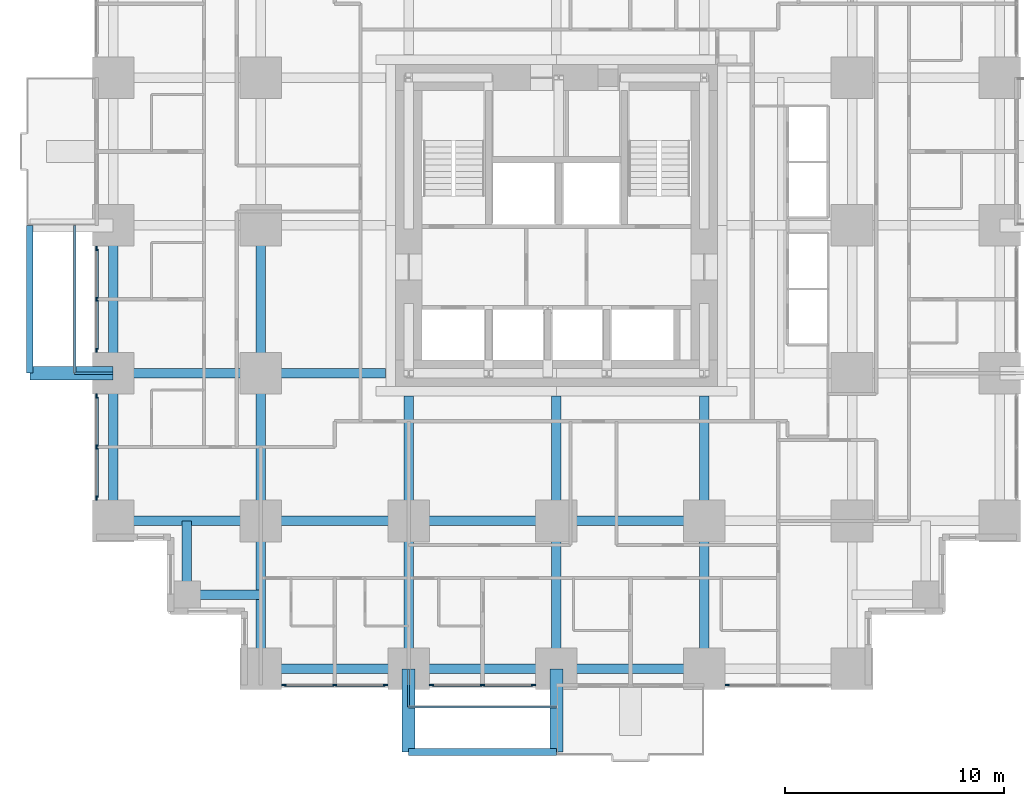
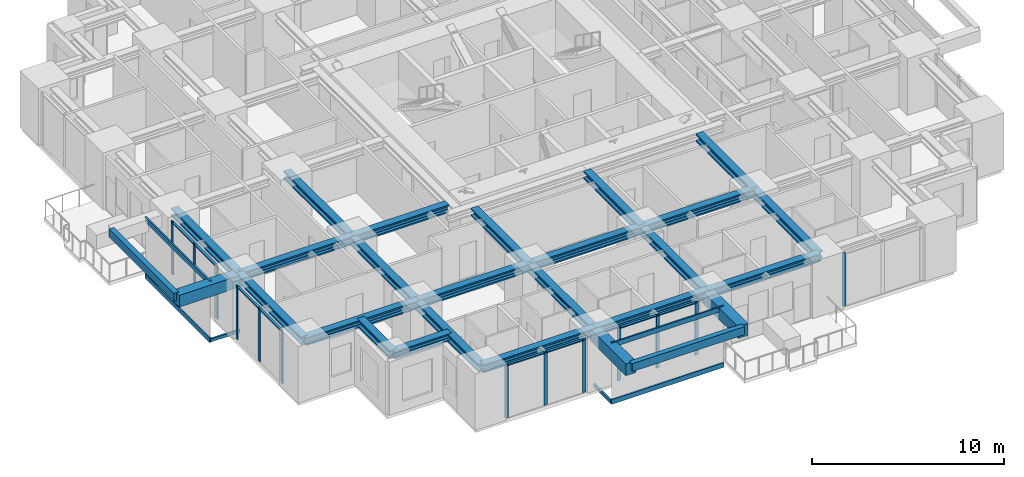
# One storey, part 2 of 14: 27 beams, 27 members, 5 elements without a shape of their own.
"""IFC4 building model written with IfcOpenShell, lengths in metres."""

from ifc_helpers import new_model, si_unit, direction, frame, origin, origin_2d, place, context, subcontext, project, spatial, rectangle, hollow_rectangle, i_section, extrude, material, material_profile, profile_set, type_object, element, aggregate, save


model = new_model("IFC4")

# Units and contexts
model_context = context("Model", 3, precision=1e-05, world=origin(), true_north=direction((0.0, 1.0)))
body_context = subcontext(model_context, "Body", "Model", "MODEL_VIEW")
ifc_project = project(units=[si_unit("LENGTHUNIT", "METRE"), si_unit("AREAUNIT", "SQUARE_METRE"), si_unit("VOLUMEUNIT", "CUBIC_METRE"), si_unit("PLANEANGLEUNIT", "RADIAN"), si_unit("MASSUNIT", "GRAM", prefix="KILO")], contexts=[model_context])

# Site, building, storey
site_placement = place(None, origin())
site = spatial("IfcSite", under=ifc_project, at=site_placement, CompositionType="ELEMENT")
building_placement = place(site_placement, origin())
building = spatial("IfcBuilding", under=site, at=building_placement, Name="Nyansa Garden Tower", CompositionType="ELEMENT")
storey_placement = place(building_placement, frame((0.0, 0.0, 28.800048828125)))
storey = spatial("IfcBuildingStorey", under=building, at=storey_placement, Name="L07", CompositionType="ELEMENT", Elevation=28.800048828125)

# Beams
ifc_material_1 = material(Name="Concrete C70/85", Category="concrete")
ifc_material_profile_1 = material_profile(ifc_material_1, rectangle(XDim=0.60009765625, YDim=0.75, at=origin_2d()), Name="RC 600x750")
ifc_profile_set_1 = profile_set([ifc_material_profile_1], Name="Concrete C70/85")
beam_type_1 = type_object("IfcBeamType", Name="Balcony cantilever beam CB1 RC 600x750", PredefinedType="BEAM", material=ifc_profile_set_1)
for number, where, z_axis, x_axis, name in (
    (1, (13.5, 0.0, 2.98486328125), (0.0, -1.0, 0.0), (1.0, 0.0, 0.0), "Balcony cantilever beam L08"),
    (2, (20.25, 0.0, 2.98486328125), (0.0, -1.0, 0.0), (1.0, 0.0, 0.0), "Balcony cantilever beam L08"),
    (3, (0.0, 13.5, 2.98486328125), (-1.0, 0.0, 0.0), (0.0, -1.0, 0.0), "Balcony cantilever beam L08"),
):
    element("IfcBeam", number, at=place(storey_placement, frame(where, z_axis=z_axis, x_axis=x_axis)), inside=storey, type_object=beam_type_1, Name=name, PredefinedType="BEAM", context=body_context, shape_type="SweptSolid", body=[
        extrude(rectangle(XDim=0.60009765625, YDim=0.75, at=origin_2d()), origin(), (0.0, 0.0, 1.0), 3.800048828125),
    ])
ifc_material_2 = material(Name="Concrete C70/85", Category="concrete")
ifc_material_profile_2 = material_profile(ifc_material_2, rectangle(XDim=0.300048828125, YDim=0.5, at=origin_2d()), Name="RC 300x500")
ifc_profile_set_2 = profile_set([ifc_material_profile_2], Name="Concrete C70/85")
beam_type_2 = type_object("IfcBeamType", Name="Balcony edge beam BE1 RC 300x500", PredefinedType="BEAM", material=ifc_profile_set_2)
for number, where, z_axis, x_axis, name in (
    (4, (13.5, -3.800048828125, 3.10986328125), (1.0, 0.0, 0.0), (0.0, 1.0, 0.0), "Balcony edge beam L08"),
    (5, (-3.800048828125, 13.5, 3.10986328125), (0.0, 1.0, 0.0), (-1.0, 0.0, 0.0), "Balcony edge beam L08"),
):
    element("IfcBeam", number, at=place(storey_placement, frame(where, z_axis=z_axis, x_axis=x_axis)), inside=storey, type_object=beam_type_2, Name=name, PredefinedType="BEAM", context=body_context, shape_type="SweptSolid", body=[
        extrude(rectangle(XDim=0.300048828125, YDim=0.5, at=origin_2d()), origin(), (0.0, 0.0, 1.0), 6.75),
    ])

# Curtain wall, members
ifc_material_3 = material(Name="Black anodised aluminium, dark tinted double glazing", Category="aluminium")
curtain_wall_type = type_object("IfcCurtainWallType", Name="Inner skin curtain wall ISW-A", PredefinedType="USERDEFINED", material=ifc_material_3)
curtain_wall_1_placement = place(storey_placement, origin())
curtain_wall_1 = element("IfcCurtainWall", 6, at=curtain_wall_1_placement, inside=storey, type_object=curtain_wall_type, Name="Inner skin curtain wall L07 W", ObjectType="UNITISED CURTAIN WALL", PredefinedType="USERDEFINED")
ifc_material_4 = material(Name="Black anodised aluminium", Category="aluminium")
ifc_material_profile_3 = material_profile(ifc_material_4, rectangle(XDim=0.06494140625, YDim=0.199951171875, at=origin_2d()), Name="Mullion 200x65")
ifc_profile_set_3 = profile_set([ifc_material_profile_3], Name="Black anodised aluminium")
member_type_1 = type_object("IfcMemberType", Name="Mullion ISW-A 200x65", PredefinedType="MULLION", material=ifc_profile_set_3)
member_1_placement = place(storey_placement, frame((-0.75, 19.199951171875, 0.0), z_axis=(0.0, 0.0, 1.0), x_axis=(1.0, 0.0, 0.0)))
member_1 = element("IfcMember", 7, at=member_1_placement, type_object=member_type_1, Name="ISW-A mullion 1", PredefinedType="MULLION", context=body_context, shape_type="SweptSolid", body=[
    extrude(rectangle(XDim=0.06494140625, YDim=0.199951171875, at=origin_2d()), origin(), (0.0, 0.0, 1.0), 3.375),
])
member_2_placement = place(storey_placement, frame((-0.75, 16.875, 0.0), z_axis=(0.0, 0.0, 1.0), x_axis=(1.0, 0.0, 0.0)))
member_2 = element("IfcMember", 8, at=member_2_placement, type_object=member_type_1, Name="ISW-A mullion 2", PredefinedType="MULLION", context=body_context, shape_type="SweptSolid", body=[
    extrude(rectangle(XDim=0.06494140625, YDim=0.199951171875, at=origin_2d()), origin(), (0.0, 0.0, 1.0), 3.375),
])
member_3_placement = place(storey_placement, frame((-0.75, 14.550048828125, 0.0), z_axis=(0.0, 0.0, 1.0), x_axis=(1.0, 0.0, 0.0)))
member_3 = element("IfcMember", 9, at=member_3_placement, type_object=member_type_1, Name="ISW-A mullion 3", PredefinedType="MULLION", context=body_context, shape_type="SweptSolid", body=[
    extrude(rectangle(XDim=0.06494140625, YDim=0.199951171875, at=origin_2d()), origin(), (0.0, 0.0, 1.0), 3.375),
])

curtain_wall_2_placement = place(storey_placement, origin())
curtain_wall_2 = element("IfcCurtainWall", 10, at=curtain_wall_2_placement, inside=storey, type_object=curtain_wall_type, Name="Inner skin curtain wall L07 W", ObjectType="UNITISED CURTAIN WALL", PredefinedType="USERDEFINED")
member_4_placement = place(storey_placement, frame((-0.75, 12.449951171875, 0.0), z_axis=(0.0, 0.0, 1.0), x_axis=(1.0, 0.0, 0.0)))
member_4 = element("IfcMember", 11, at=member_4_placement, type_object=member_type_1, Name="ISW-A mullion 1", PredefinedType="MULLION", context=body_context, shape_type="SweptSolid", body=[
    extrude(rectangle(XDim=0.06494140625, YDim=0.199951171875, at=origin_2d()), origin(), (0.0, 0.0, 1.0), 3.375),
])
member_5_placement = place(storey_placement, frame((-0.75, 10.125, 0.0), z_axis=(0.0, 0.0, 1.0), x_axis=(1.0, 0.0, 0.0)))
member_5 = element("IfcMember", 12, at=member_5_placement, type_object=member_type_1, Name="ISW-A mullion 2", PredefinedType="MULLION", context=body_context, shape_type="SweptSolid", body=[
    extrude(rectangle(XDim=0.06494140625, YDim=0.199951171875, at=origin_2d()), origin(), (0.0, 0.0, 1.0), 3.375),
])
member_6_placement = place(storey_placement, frame((-0.75, 7.800048828125, 0.0), z_axis=(0.0, 0.0, 1.0), x_axis=(1.0, 0.0, 0.0)))
member_6 = element("IfcMember", 13, at=member_6_placement, type_object=member_type_1, Name="ISW-A mullion 3", PredefinedType="MULLION", context=body_context, shape_type="SweptSolid", body=[
    extrude(rectangle(XDim=0.06494140625, YDim=0.199951171875, at=origin_2d()), origin(), (0.0, 0.0, 1.0), 3.375),
])

curtain_wall_3_placement = place(storey_placement, origin())
curtain_wall_3 = element("IfcCurtainWall", 14, at=curtain_wall_3_placement, inside=storey, type_object=curtain_wall_type, Name="Inner skin curtain wall L07 S", ObjectType="UNITISED CURTAIN WALL", PredefinedType="USERDEFINED")
member_7_placement = place(storey_placement, frame((7.800048828125, -0.75, 0.0), z_axis=(0.0, 0.0, 1.0), x_axis=(0.0, 1.0, 0.0)))
member_7 = element("IfcMember", 15, at=member_7_placement, type_object=member_type_1, Name="ISW-A mullion 1", PredefinedType="MULLION", context=body_context, shape_type="SweptSolid", body=[
    extrude(rectangle(XDim=0.06494140625, YDim=0.199951171875, at=origin_2d()), origin(), (0.0, 0.0, 1.0), 3.375),
])
member_8_placement = place(storey_placement, frame((10.125, -0.75, 0.0), z_axis=(0.0, 0.0, 1.0), x_axis=(0.0, 1.0, 0.0)))
member_8 = element("IfcMember", 16, at=member_8_placement, type_object=member_type_1, Name="ISW-A mullion 2", PredefinedType="MULLION", context=body_context, shape_type="SweptSolid", body=[
    extrude(rectangle(XDim=0.06494140625, YDim=0.199951171875, at=origin_2d()), origin(), (0.0, 0.0, 1.0), 3.375),
])
member_9_placement = place(storey_placement, frame((12.449951171875, -0.75, 0.0), z_axis=(0.0, 0.0, 1.0), x_axis=(0.0, 1.0, 0.0)))
member_9 = element("IfcMember", 17, at=member_9_placement, type_object=member_type_1, Name="ISW-A mullion 3", PredefinedType="MULLION", context=body_context, shape_type="SweptSolid", body=[
    extrude(rectangle(XDim=0.06494140625, YDim=0.199951171875, at=origin_2d()), origin(), (0.0, 0.0, 1.0), 3.375),
])

curtain_wall_4_placement = place(storey_placement, origin())
curtain_wall_4 = element("IfcCurtainWall", 18, at=curtain_wall_4_placement, inside=storey, type_object=curtain_wall_type, Name="Inner skin curtain wall L07 S", ObjectType="UNITISED CURTAIN WALL", PredefinedType="USERDEFINED")
member_10_placement = place(storey_placement, frame((14.550048828125, -0.75, 0.0), z_axis=(0.0, 0.0, 1.0), x_axis=(0.0, 1.0, 0.0)))
member_10 = element("IfcMember", 19, at=member_10_placement, type_object=member_type_1, Name="ISW-A mullion 1", PredefinedType="MULLION", context=body_context, shape_type="SweptSolid", body=[
    extrude(rectangle(XDim=0.06494140625, YDim=0.199951171875, at=origin_2d()), origin(), (0.0, 0.0, 1.0), 3.375),
])
member_11_placement = place(storey_placement, frame((16.875, -0.75, 0.0), z_axis=(0.0, 0.0, 1.0), x_axis=(0.0, 1.0, 0.0)))
member_11 = element("IfcMember", 20, at=member_11_placement, type_object=member_type_1, Name="ISW-A mullion 2", PredefinedType="MULLION", context=body_context, shape_type="SweptSolid", body=[
    extrude(rectangle(XDim=0.06494140625, YDim=0.199951171875, at=origin_2d()), origin(), (0.0, 0.0, 1.0), 3.375),
])
member_12_placement = place(storey_placement, frame((19.199951171875, -0.75, 0.0), z_axis=(0.0, 0.0, 1.0), x_axis=(0.0, 1.0, 0.0)))
member_12 = element("IfcMember", 21, at=member_12_placement, type_object=member_type_1, Name="ISW-A mullion 3", PredefinedType="MULLION", context=body_context, shape_type="SweptSolid", body=[
    extrude(rectangle(XDim=0.06494140625, YDim=0.199951171875, at=origin_2d()), origin(), (0.0, 0.0, 1.0), 3.375),
])

# Curtain wall, member
curtain_wall_5_placement = place(storey_placement, origin())
curtain_wall_5 = element("IfcCurtainWall", 22, at=curtain_wall_5_placement, inside=storey, type_object=curtain_wall_type, Name="Inner skin curtain wall L07 S", ObjectType="UNITISED CURTAIN WALL", PredefinedType="USERDEFINED")
member_13_placement = place(storey_placement, frame((28.050048828125, -0.75, 0.0), z_axis=(0.0, 0.0, 1.0), x_axis=(0.0, 1.0, 0.0)))
member_13 = element("IfcMember", 23, at=member_13_placement, type_object=member_type_1, Name="ISW-A mullion 1", PredefinedType="MULLION", context=body_context, shape_type="SweptSolid", body=[
    extrude(rectangle(XDim=0.06494140625, YDim=0.199951171875, at=origin_2d()), origin(), (0.0, 0.0, 1.0), 3.375),
])
aggregate(curtain_wall_5, [member_13])

# Members
ifc_material_5 = material(Name="Steel S355, black powder coated", Category="steel")
ifc_material_profile_4 = material_profile(ifc_material_5, hollow_rectangle(XDim=0.10009765625, YDim=0.199951171875, WallThickness=0.008056640625, at=origin_2d()), Name="RHS 200x100x8")
ifc_profile_set_4 = profile_set([ifc_material_profile_4], Name="Steel S355, black powder coated")
member_type_2 = type_object("IfcMemberType", Name="Outer skin bracket arm RHS 200x100x8", PredefinedType="USERDEFINED", material=ifc_profile_set_4)
for number, where, z_axis, x_axis, name in (
    (24, (0.0, 13.5, -0.375), (-1.0, 0.0, 0.0), (0.0, -1.0, 0.0), "Outer skin bracket arm"),
    (25, (13.5, 0.0, -0.375), (0.0, -1.0, 0.0), (1.0, 0.0, 0.0), "Outer skin bracket arm"),
):
    element("IfcMember", number, at=place(storey_placement, frame(where, z_axis=z_axis, x_axis=x_axis)), inside=storey, type_object=member_type_2, Name=name, ObjectType="OUTER SKIN BRACKET", PredefinedType="USERDEFINED", context=body_context, shape_type="SweptSolid", body=[
        extrude(hollow_rectangle(XDim=0.10009765625, YDim=0.199951171875, WallThickness=0.008056640625, at=origin_2d()), origin(), (0.0, 0.0, 1.0), 1.75),
    ])
ifc_material_6 = material(Name="Steel S355, black powder coated", Category="steel")
ifc_material_profile_5 = material_profile(ifc_material_6, hollow_rectangle(XDim=0.10009765625, YDim=0.300048828125, WallThickness=0.010009765625, at=origin_2d()), Name="RHS 300x100x10")
ifc_profile_set_5 = profile_set([ifc_material_profile_5], Name="Steel S355, black powder coated")
member_type_3 = type_object("IfcMemberType", Name="Outer skin rail RHS 300x100x10", PredefinedType="USERDEFINED", material=ifc_profile_set_5)
for number, where, z_axis, x_axis, name in (
    (26, (-1.75, 13.5, -0.375), (0.0, 1.0, 0.0), (-1.0, 0.0, 0.0), "Outer skin rail L07"),
    (27, (-1.75, 13.5, 3.224853515625), (0.0, 1.0, 0.0), (-1.0, 0.0, 0.0), "Outer skin rail L07 head"),
    (28, (13.5, -1.75, -0.375), (1.0, 0.0, 0.0), (0.0, 1.0, 0.0), "Outer skin rail L07"),
    (29, (13.5, -1.75, 3.224853515625), (1.0, 0.0, 0.0), (0.0, 1.0, 0.0), "Outer skin rail L07 head"),
):
    element("IfcMember", number, at=place(storey_placement, frame(where, z_axis=z_axis, x_axis=x_axis)), inside=storey, type_object=member_type_3, Name=name, ObjectType="OUTER SKIN RAIL", PredefinedType="USERDEFINED", context=body_context, shape_type="SweptSolid", body=[
        extrude(hollow_rectangle(XDim=0.10009765625, YDim=0.300048828125, WallThickness=0.010009765625, at=origin_2d()), origin(), (0.0, 0.0, 1.0), 6.75),
    ])

# Beams
ifc_material_7 = material(Name="Steel S355", Category="steel")
ifc_material_profile_6 = material_profile(ifc_material_7, i_section(OverallWidth=0.431884765625, OverallDepth=0.498046875, WebThickness=0.0556640625, FlangeThickness=0.0888671875, FilletRadius=0.014892578125, at=origin_2d()), Name="HD 400x744")
ifc_profile_set_6 = profile_set([ifc_material_profile_6], Name="Steel S355")
beam_type_3 = type_object("IfcBeamType", Name="Steel beam SBA1-744 HD 400x744", PredefinedType="BEAM", material=ifc_profile_set_6)
for number, where, z_axis, x_axis, name in (
    (30, (0.0, 6.75, 3.1259765625), (1.0, 0.0, 0.0), (0.0, 1.0, 0.0), "Steel beam 2/E-3/E L08"),
    (31, (0.0, 13.5, 3.1259765625), (1.0, 0.0, 0.0), (0.0, 1.0, 0.0), "Steel beam 2/F-3/F L08"),
    (32, (6.75, 0.0, 3.1259765625), (0.0, 1.0, 0.0), (-1.0, 0.0, 0.0), "Steel beam 3/D-3/E L08"),
    (33, (6.75, 6.75, 3.1259765625), (0.0, 1.0, 0.0), (-1.0, 0.0, 0.0), "Steel beam 3/E-3/F L08"),
    (34, (6.75, 6.75, 3.1259765625), (1.0, 0.0, 0.0), (0.0, 1.0, 0.0), "Steel beam 3/E-4/E L08"),
    (35, (6.75, 13.5, 3.1259765625), (0.0, 1.0, 0.0), (-1.0, 0.0, 0.0), "Steel beam 3/F-3/G L08"),
):
    element("IfcBeam", number, at=place(storey_placement, frame(where, z_axis=z_axis, x_axis=x_axis)), inside=storey, type_object=beam_type_3, Name=name, PredefinedType="BEAM", context=body_context, shape_type="SweptSolid", body=[
        extrude(i_section(OverallWidth=0.431884765625, OverallDepth=0.498046875, WebThickness=0.0556640625, FlangeThickness=0.0888671875, FilletRadius=0.014892578125, at=origin_2d()), origin(), (0.0, 0.0, 1.0), 6.75),
    ])
beam_1_placement = place(storey_placement, frame((6.75, 13.5, 3.1259765625), z_axis=(1.0, 0.0, 0.0), x_axis=(0.0, 1.0, 0.0)))
element("IfcBeam", 36, at=beam_1_placement, inside=storey, type_object=beam_type_3, Name="Steel beam 3/F-12.450/F L08", PredefinedType="BEAM", context=body_context, shape_type="SweptSolid", body=[
    extrude(i_section(OverallWidth=0.431884765625, OverallDepth=0.498046875, WebThickness=0.0556640625, FlangeThickness=0.0888671875, FilletRadius=0.014892578125, at=origin_2d()), origin(), (0.0, 0.0, 1.0), 5.699951171875),
])
beam_2_placement = place(storey_placement, frame((13.5, 0.0, 3.1259765625), z_axis=(0.0, 1.0, 0.0), x_axis=(-1.0, 0.0, 0.0)))
element("IfcBeam", 37, at=beam_2_placement, inside=storey, type_object=beam_type_3, Name="Steel beam 4/D-4/E L08", PredefinedType="BEAM", context=body_context, shape_type="SweptSolid", body=[
    extrude(i_section(OverallWidth=0.431884765625, OverallDepth=0.498046875, WebThickness=0.0556640625, FlangeThickness=0.0888671875, FilletRadius=0.014892578125, at=origin_2d()), origin(), (0.0, 0.0, 1.0), 6.75),
])
beam_3_placement = place(storey_placement, frame((13.5, 6.75, 3.1259765625), z_axis=(0.0, 1.0, 0.0), x_axis=(-1.0, 0.0, 0.0)))
element("IfcBeam", 38, at=beam_3_placement, inside=storey, type_object=beam_type_3, Name="Steel beam 4/E-4/12.450 L08", PredefinedType="BEAM", context=body_context, shape_type="SweptSolid", body=[
    extrude(i_section(OverallWidth=0.431884765625, OverallDepth=0.498046875, WebThickness=0.0556640625, FlangeThickness=0.0888671875, FilletRadius=0.014892578125, at=origin_2d()), origin(), (0.0, 0.0, 1.0), 5.699951171875),
])
for number, where, z_axis, x_axis, name in (
    (39, (13.5, 6.75, 3.1259765625), (1.0, 0.0, 0.0), (0.0, 1.0, 0.0), "Steel beam 4/E-5/E L08"),
    (40, (20.25, 0.0, 3.1259765625), (0.0, 1.0, 0.0), (-1.0, 0.0, 0.0), "Steel beam 5/D-5/E L08"),
):
    element("IfcBeam", number, at=place(storey_placement, frame(where, z_axis=z_axis, x_axis=x_axis)), inside=storey, type_object=beam_type_3, Name=name, PredefinedType="BEAM", context=body_context, shape_type="SweptSolid", body=[
        extrude(i_section(OverallWidth=0.431884765625, OverallDepth=0.498046875, WebThickness=0.0556640625, FlangeThickness=0.0888671875, FilletRadius=0.014892578125, at=origin_2d()), origin(), (0.0, 0.0, 1.0), 6.75),
    ])
beam_4_placement = place(storey_placement, frame((20.25, 6.75, 3.1259765625), z_axis=(0.0, 1.0, 0.0), x_axis=(-1.0, 0.0, 0.0)))
element("IfcBeam", 41, at=beam_4_placement, inside=storey, type_object=beam_type_3, Name="Steel beam 5/E-5/12.450 L08", PredefinedType="BEAM", context=body_context, shape_type="SweptSolid", body=[
    extrude(i_section(OverallWidth=0.431884765625, OverallDepth=0.498046875, WebThickness=0.0556640625, FlangeThickness=0.0888671875, FilletRadius=0.014892578125, at=origin_2d()), origin(), (0.0, 0.0, 1.0), 5.699951171875),
])
for number, where, z_axis, x_axis, name in (
    (42, (20.25, 6.75, 3.1259765625), (1.0, 0.0, 0.0), (0.0, 1.0, 0.0), "Steel beam 5/E-6/E L08"),
    (43, (27.0, 0.0, 3.1259765625), (0.0, 1.0, 0.0), (-1.0, 0.0, 0.0), "Steel beam 6/D-6/E L08"),
):
    element("IfcBeam", number, at=place(storey_placement, frame(where, z_axis=z_axis, x_axis=x_axis)), inside=storey, type_object=beam_type_3, Name=name, PredefinedType="BEAM", context=body_context, shape_type="SweptSolid", body=[
        extrude(i_section(OverallWidth=0.431884765625, OverallDepth=0.498046875, WebThickness=0.0556640625, FlangeThickness=0.0888671875, FilletRadius=0.014892578125, at=origin_2d()), origin(), (0.0, 0.0, 1.0), 6.75),
    ])
beam_5_placement = place(storey_placement, frame((27.0, 6.75, 3.1259765625), z_axis=(0.0, 1.0, 0.0), x_axis=(-1.0, 0.0, 0.0)))
element("IfcBeam", 44, at=beam_5_placement, inside=storey, type_object=beam_type_3, Name="Steel beam 6/E-6/12.450 L08", PredefinedType="BEAM", context=body_context, shape_type="SweptSolid", body=[
    extrude(i_section(OverallWidth=0.431884765625, OverallDepth=0.498046875, WebThickness=0.0556640625, FlangeThickness=0.0888671875, FilletRadius=0.014892578125, at=origin_2d()), origin(), (0.0, 0.0, 1.0), 5.699951171875),
])
ifc_material_8 = material(Name="Steel S355", Category="steel")
ifc_material_profile_7 = material_profile(ifc_material_8, i_section(OverallWidth=0.431884765625, OverallDepth=0.498046875, WebThickness=0.0556640625, FlangeThickness=0.0888671875, FilletRadius=0.014892578125, at=origin_2d()), Name="HD 400x744")
ifc_profile_set_7 = profile_set([ifc_material_profile_7], Name="Steel S355")
beam_type_4 = type_object("IfcBeamType", Name="Steel beam SEBA-744 HD 400x744", PredefinedType="BEAM", material=ifc_profile_set_7)
for number, where, z_axis, x_axis, name in (
    (45, (0.0, 6.75, 3.1259765625), (0.0, 1.0, 0.0), (-1.0, 0.0, 0.0), "Steel edge beam 2/E-2/F L08"),
    (46, (0.0, 13.5, 3.1259765625), (0.0, 1.0, 0.0), (-1.0, 0.0, 0.0), "Steel edge beam 2/F-2/G L08"),
    (47, (6.75, 0.0, 3.1259765625), (1.0, 0.0, 0.0), (0.0, 1.0, 0.0), "Steel edge beam 3/D-4/D L08"),
    (48, (13.5, 0.0, 3.1259765625), (1.0, 0.0, 0.0), (0.0, 1.0, 0.0), "Steel edge beam 4/D-5/D L08"),
    (49, (20.25, 0.0, 3.1259765625), (1.0, 0.0, 0.0), (0.0, 1.0, 0.0), "Steel edge beam 5/D-6/D L08"),
):
    element("IfcBeam", number, at=place(storey_placement, frame(where, z_axis=z_axis, x_axis=x_axis)), inside=storey, type_object=beam_type_4, Name=name, PredefinedType="BEAM", context=body_context, shape_type="SweptSolid", body=[
        extrude(i_section(OverallWidth=0.431884765625, OverallDepth=0.498046875, WebThickness=0.0556640625, FlangeThickness=0.0888671875, FilletRadius=0.014892578125, at=origin_2d()), origin(), (0.0, 0.0, 1.0), 6.75),
    ])
ifc_material_9 = material(Name="Steel S355", Category="steel")
ifc_material_profile_8 = material_profile(ifc_material_9, i_section(OverallWidth=0.431884765625, OverallDepth=0.498046875, WebThickness=0.0556640625, FlangeThickness=0.0888671875, FilletRadius=0.014892578125, at=origin_2d()), Name="HD 400x744")
ifc_profile_set_8 = profile_set([ifc_material_profile_8], Name="Steel S355")
beam_type_5 = type_object("IfcBeamType", Name="Steel beam SSB1-744 HD 400x744", PredefinedType="BEAM", material=ifc_profile_set_8)
for number, where, z_axis, x_axis, name in (
    (50, (3.375, 3.375, 3.1259765625), (0.0, 1.0, 0.0), (-1.0, 0.0, 0.0), "Steel step beam 3.375/3.375 L08"),
    (51, (3.375, 3.375, 3.1259765625), (1.0, 0.0, 0.0), (0.0, 1.0, 0.0), "Steel step beam 3.375/3.375 L08"),
):
    element("IfcBeam", number, at=place(storey_placement, frame(where, z_axis=z_axis, x_axis=x_axis)), inside=storey, type_object=beam_type_5, Name=name, PredefinedType="BEAM", context=body_context, shape_type="SweptSolid", body=[
        extrude(i_section(OverallWidth=0.431884765625, OverallDepth=0.498046875, WebThickness=0.0556640625, FlangeThickness=0.0888671875, FilletRadius=0.014892578125, at=origin_2d()), origin(), (0.0, 0.0, 1.0), 3.375),
    ])

# Member
ifc_material_10 = material(Name="Black anodised aluminium", Category="aluminium")
ifc_material_profile_9 = material_profile(ifc_material_10, rectangle(XDim=0.14990234375, YDim=0.06494140625, at=origin_2d()), Name="Transom 150x65")
ifc_profile_set_9 = profile_set([ifc_material_profile_9], Name="Black anodised aluminium")
member_type_4 = type_object("IfcMemberType", Name="Transom ISW-A 150x65", PredefinedType="USERDEFINED", material=ifc_profile_set_9)
member_14_placement = place(storey_placement, frame((-0.75, 19.16748046875, 3.342529296875), z_axis=(0.0, -1.0, 0.0), x_axis=(1.0, 0.0, 0.0)))
member_14 = element("IfcMember", 52, at=member_14_placement, type_object=member_type_4, Name="ISW-A transom 1", ObjectType="TRANSOM", PredefinedType="USERDEFINED", context=body_context, shape_type="SweptSolid", body=[
    extrude(rectangle(XDim=0.14990234375, YDim=0.06494140625, at=origin_2d()), origin(), (0.0, 0.0, 1.0), 2.260009765625),
])

member_15_placement = place(storey_placement, frame((-0.75, 16.842529296875, 3.342529296875), z_axis=(0.0, -1.0, 0.0), x_axis=(1.0, 0.0, 0.0)))
member_15 = element("IfcMember", 53, at=member_15_placement, type_object=member_type_4, Name="ISW-A transom 2", ObjectType="TRANSOM", PredefinedType="USERDEFINED", context=body_context, shape_type="SweptSolid", body=[
    extrude(rectangle(XDim=0.14990234375, YDim=0.06494140625, at=origin_2d()), origin(), (0.0, 0.0, 1.0), 2.260009765625),
])

aggregate(curtain_wall_1, [member_1, member_2, member_3, member_14, member_15])

member_16_placement = place(storey_placement, frame((-0.75, 12.41748046875, 3.342529296875), z_axis=(0.0, -1.0, 0.0), x_axis=(1.0, 0.0, 0.0)))
member_16 = element("IfcMember", 54, at=member_16_placement, type_object=member_type_4, Name="ISW-A transom 1", ObjectType="TRANSOM", PredefinedType="USERDEFINED", context=body_context, shape_type="SweptSolid", body=[
    extrude(rectangle(XDim=0.14990234375, YDim=0.06494140625, at=origin_2d()), origin(), (0.0, 0.0, 1.0), 2.260009765625),
])

member_17_placement = place(storey_placement, frame((-0.75, 10.092529296875, 3.342529296875), z_axis=(0.0, -1.0, 0.0), x_axis=(1.0, 0.0, 0.0)))
member_17 = element("IfcMember", 55, at=member_17_placement, type_object=member_type_4, Name="ISW-A transom 2", ObjectType="TRANSOM", PredefinedType="USERDEFINED", context=body_context, shape_type="SweptSolid", body=[
    extrude(rectangle(XDim=0.14990234375, YDim=0.06494140625, at=origin_2d()), origin(), (0.0, 0.0, 1.0), 2.260009765625),
])

aggregate(curtain_wall_2, [member_4, member_5, member_6, member_16, member_17])

member_18_placement = place(storey_placement, frame((7.83251953125, -0.75, 3.342529296875), z_axis=(1.0, 0.0, 0.0), x_axis=(0.0, 1.0, 0.0)))
member_18 = element("IfcMember", 56, at=member_18_placement, type_object=member_type_4, Name="ISW-A transom 1", ObjectType="TRANSOM", PredefinedType="USERDEFINED", context=body_context, shape_type="SweptSolid", body=[
    extrude(rectangle(XDim=0.14990234375, YDim=0.06494140625, at=origin_2d()), origin(), (0.0, 0.0, 1.0), 2.260009765625),
])

member_19_placement = place(storey_placement, frame((10.157470703125, -0.75, 3.342529296875), z_axis=(1.0, 0.0, 0.0), x_axis=(0.0, 1.0, 0.0)))
member_19 = element("IfcMember", 57, at=member_19_placement, type_object=member_type_4, Name="ISW-A transom 2", ObjectType="TRANSOM", PredefinedType="USERDEFINED", context=body_context, shape_type="SweptSolid", body=[
    extrude(rectangle(XDim=0.14990234375, YDim=0.06494140625, at=origin_2d()), origin(), (0.0, 0.0, 1.0), 2.260009765625),
])

aggregate(curtain_wall_3, [member_7, member_8, member_9, member_18, member_19])

member_20_placement = place(storey_placement, frame((14.58251953125, -0.75, 3.342529296875), z_axis=(1.0, 0.0, 0.0), x_axis=(0.0, 1.0, 0.0)))
member_20 = element("IfcMember", 58, at=member_20_placement, type_object=member_type_4, Name="ISW-A transom 1", ObjectType="TRANSOM", PredefinedType="USERDEFINED", context=body_context, shape_type="SweptSolid", body=[
    extrude(rectangle(XDim=0.14990234375, YDim=0.06494140625, at=origin_2d()), origin(), (0.0, 0.0, 1.0), 2.260009765625),
])

member_21_placement = place(storey_placement, frame((16.907470703125, -0.75, 3.342529296875), z_axis=(1.0, 0.0, 0.0), x_axis=(0.0, 1.0, 0.0)))
member_21 = element("IfcMember", 59, at=member_21_placement, type_object=member_type_4, Name="ISW-A transom 2", ObjectType="TRANSOM", PredefinedType="USERDEFINED", context=body_context, shape_type="SweptSolid", body=[
    extrude(rectangle(XDim=0.14990234375, YDim=0.06494140625, at=origin_2d()), origin(), (0.0, 0.0, 1.0), 2.260009765625),
])

aggregate(curtain_wall_4, [member_10, member_11, member_12, member_20, member_21])

save(model, "model.ifc")
